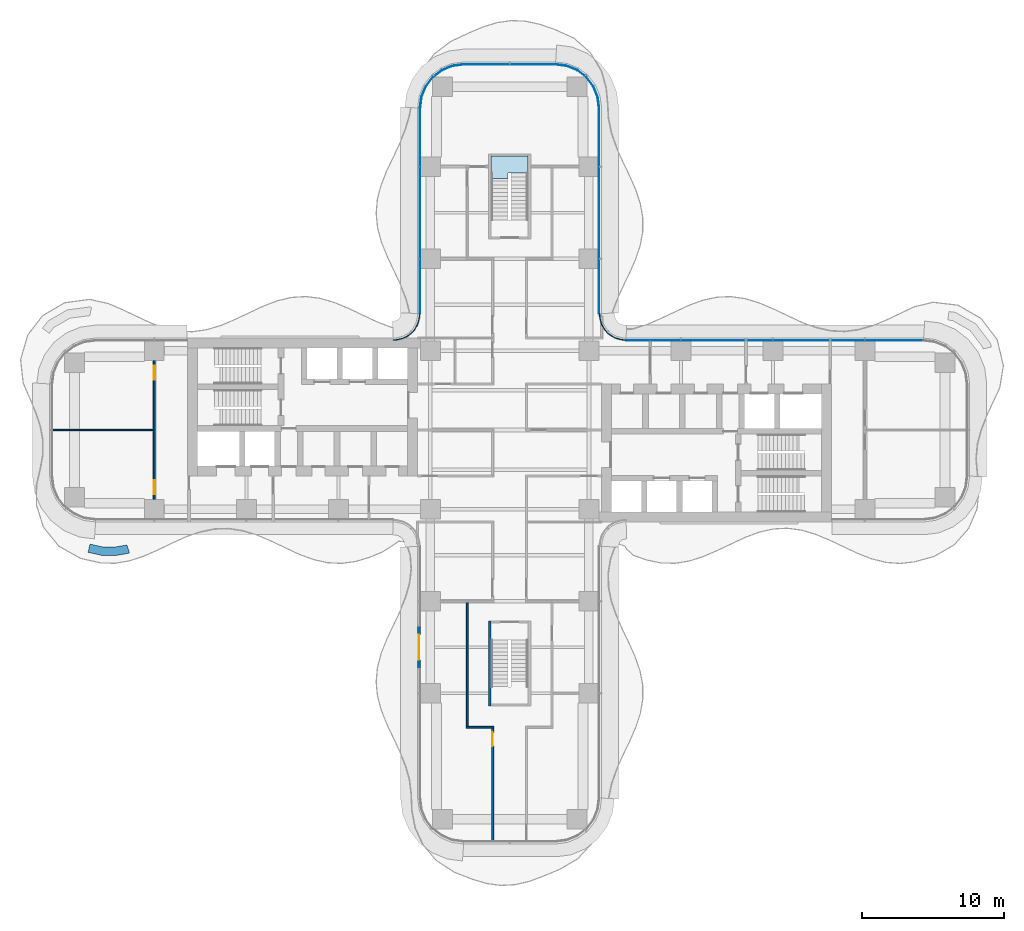
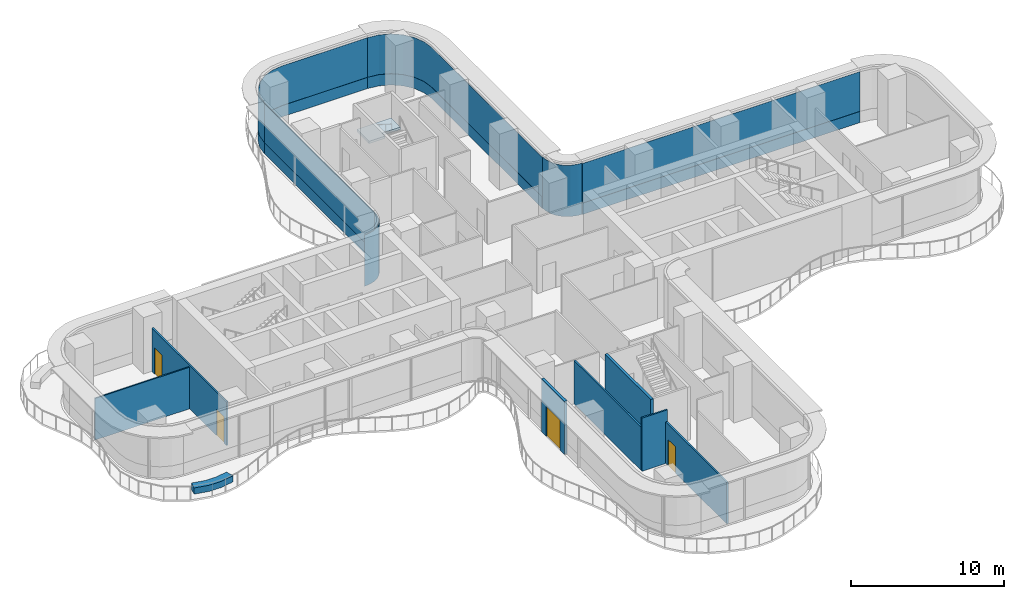
# One storey, part 16 of 22: 10 plates, 8 walls, 4 doors, 1 slab, 4 openings, 7 elements without a shape of their own.
"""IFC4 building model written with IfcOpenShell, lengths in metres."""

from ifc_helpers import new_model, si_unit, direction, frame, frame_2d, origin, place, context, subcontext, project, spatial, polyline, rectangle, outline, extrude, source, transform, mapped, material, layer, layer_set, type_object, element, fill, aggregate, save


model = new_model("IFC4")

# Units and contexts
model_context = context("Model", 3, precision=1e-05, world=origin(), true_north=direction((0.0, 1.0)))
body_context = subcontext(model_context, "Body", "Model", "MODEL_VIEW")
ifc_project = project(units=[si_unit("LENGTHUNIT", "METRE"), si_unit("AREAUNIT", "SQUARE_METRE"), si_unit("VOLUMEUNIT", "CUBIC_METRE"), si_unit("PLANEANGLEUNIT", "RADIAN"), si_unit("MASSUNIT", "GRAM", prefix="KILO")], contexts=[model_context])

# Site, building, storey
site_placement = place(None, origin())
site = spatial("IfcSite", under=ifc_project, at=site_placement, CompositionType="ELEMENT")
building_placement = place(site_placement, origin())
building = spatial("IfcBuilding", under=site, at=building_placement, Name="Trellis Farm Tower", CompositionType="ELEMENT")
storey_placement = place(building_placement, frame((0.0, 0.0, 65.5)))
storey = spatial("IfcBuildingStorey", under=building, at=storey_placement, Name="L13", CompositionType="ELEMENT", Elevation=65.5)

# Stair, slab
ifc_material_1 = material(Name="Concrete C50/60", Category="concrete")
stair_type = type_object("IfcStairType", Name="CORE EXIT STAIR 26 RISERS 173 MM", PredefinedType="HALF_TURN_STAIR", material=ifc_material_1)
placement_1 = place(storey_placement, origin())
stair = element("IfcStair", 1, at=placement_1, inside=storey, type_object=stair_type, Name="Exit stair N", PredefinedType="HALF_TURN_STAIR")
ifc_layer_1 = layer(ifc_material_1, 0.18994140625)
ifc_layer_set_1 = layer_set([ifc_layer_1], Name="CORE STAIR LANDING 190 CONCRETE C50/60")
slab_type = type_object("IfcSlabType", Name="CORE STAIR LANDING 190 CONCRETE C50/60", PredefinedType="LANDING", material=ifc_layer_set_1)
shared_shape_1 = source(origin(), body_context, "Body", "SweptSolid", [
    extrude(outline(polyline([(-0.10009765625, 17.753173828125), (-1.300048828125, 17.753173828125), (-1.300048828125, 18.14990234375), (-1.300048828125, 19.35009765625), (1.300048828125, 19.35009765625), (1.300048828125, 18.14990234375), (1.300048828125, 18.139892578125), (0.10009765625, 18.139892578125), (0.10009765625, 18.14990234375), (-0.10009765625, 18.14990234375), (-0.10009765625, 17.753173828125)])), origin(), (0.0, 0.0, 1.0), 0.18994140625),
])
slab_placement = place(storey_placement, frame((0.0, 0.0, 2.06005859375)))
slab = element("IfcSlab", 2, at=slab_placement, type_object=slab_type, Name="STN landing 1", PredefinedType="LANDING", context=body_context, shape_type="MappedRepresentation", body=[
    mapped(shared_shape_1, transform((0.0, 0.0, 0.0))),
])
aggregate(stair, [slab])

# Curtain wall, plates
ifc_material_2 = material(Name="Aluminium and glass curtain wall", Category="aluminium")
ifc_layer_2 = layer(ifc_material_2, 0.18994140625)
ifc_layer_set_2 = layer_set([ifc_layer_2], Name="RIBBON CURTAIN WALL CW1")
curtain_wall_type_1 = type_object("IfcCurtainWallType", Name="RIBBON CURTAIN WALL CW1", PredefinedType="NOTDEFINED", material=ifc_layer_set_2)
curtain_wall_1 = element("IfcCurtainWall", 3, at=placement_1, inside=storey, type_object=curtain_wall_type_1, Name="CW1 008", PredefinedType="NOTDEFINED")
ifc_material_3 = material(Name="Clear insulated glass", Category="glass")
ifc_layer_3 = layer(ifc_material_3, 0.0400390625)
ifc_layer_set_3 = layer_set([ifc_layer_3], Name="CW1 GLASS PANEL 40")
plate_type_1 = type_object("IfcPlateType", Name="CW1 GLASS PANEL 40", PredefinedType="CURTAIN_PANEL", material=ifc_layer_set_3)
shared_shape_2 = source(origin(), body_context, "Body", "SweptSolid", [
    extrude(outline(polyline([(29.240234375, 6.35009765625), (8.2265625, 6.35009765625), (8.22509765625, 6.31005859375), (29.237548828125, 6.31005859375), (29.240234375, 6.35009765625)])), origin(), (0.0, 0.0, 1.0), 3.170166015625),
])
placement_2 = place(storey_placement, frame((0.0, 0.0, 0.89990234375)))
plate_1 = element("IfcPlate", 4, at=placement_2, type_object=plate_type_1, Name="PL1 008", PredefinedType="CURTAIN_PANEL", context=body_context, shape_type="MappedRepresentation", body=[
    mapped(shared_shape_2, transform((0.0, 0.0, 0.0))),
])
ifc_material_4 = material(Name="Sandstone faced insulated panel", Category="masonry")
ifc_layer_4 = layer(ifc_material_4, 0.050048828125)
ifc_layer_set_4 = layer_set([ifc_layer_4], Name="CW1 STONE SPANDREL PANEL 50")
plate_type_2 = type_object("IfcPlateType", Name="CW1 STONE SPANDREL PANEL 50", PredefinedType="CURTAIN_PANEL", material=ifc_layer_set_4)
shared_shape_3 = source(origin(), body_context, "Body", "SweptSolid", [
    extrude(outline(polyline([(29.240234375, 6.35009765625), (8.2265625, 6.35009765625), (8.224853515625, 6.300048828125), (29.23681640625, 6.300048828125), (29.240234375, 6.35009765625)])), origin(), (0.0, 0.0, 1.0), 0.89990234375),
])
plate_2 = element("IfcPlate", 5, at=placement_1, type_object=plate_type_2, Name="PS1 008", PredefinedType="CURTAIN_PANEL", context=body_context, shape_type="MappedRepresentation", body=[
    mapped(shared_shape_3, transform((0.0, 0.0, 0.0))),
])
aggregate(curtain_wall_1, [plate_1, plate_2])

# Curtain wall, plate
ifc_layer_5 = layer(ifc_material_2, 0.166015625)
ifc_layer_set_5 = layer_set([ifc_layer_5], Name="WINTER GARDEN CURTAIN WALL CW3")
curtain_wall_type_2 = type_object("IfcCurtainWallType", Name="WINTER GARDEN CURTAIN WALL CW3", PredefinedType="NOTDEFINED", material=ifc_layer_set_5)
curtain_wall_2 = element("IfcCurtainWall", 6, at=placement_1, inside=storey, type_object=curtain_wall_type_2, Name="CW3 003", PredefinedType="NOTDEFINED")
ifc_layer_6 = layer(ifc_material_3, 0.0458984375)
ifc_layer_set_6 = layer_set([ifc_layer_6], Name="CW3 GLASS PANEL 46")
plate_type_3 = type_object("IfcPlateType", Name="CW3 GLASS PANEL 46", PredefinedType="CURTAIN_PANEL", material=ifc_layer_set_6)
shared_shape_4 = source(origin(), body_context, "Body", "SweptSolid", [
    extrude(outline(polyline([(8.2275390625, 6.3798828125), (8.0078125, 6.394287109375), (7.89208984375, 6.40966796875), (7.462158203125, 6.52490234375), (7.070556640625, 6.7509765625), (6.7509765625, 7.070556640625), (6.52490234375, 7.462158203125), (6.40966796875, 7.89208984375), (6.394287109375, 8.0078125), (6.3798828125, 8.2275390625), (6.333984375, 8.22607421875), (6.3486328125, 8.003173828125), (6.364501953125, 7.883056640625), (6.48193359375, 7.4443359375), (6.714111328125, 7.04248046875), (7.04248046875, 6.714111328125), (7.4443359375, 6.48193359375), (7.883056640625, 6.364501953125), (8.003173828125, 6.3486328125), (8.22607421875, 6.333984375), (8.2275390625, 6.3798828125)])), origin(), (0.0, 0.0, 1.0), 4.10009765625),
])
plate_3 = element("IfcPlate", 7, at=placement_1, type_object=plate_type_3, Name="PL3 003", PredefinedType="CURTAIN_PANEL", context=body_context, shape_type="MappedRepresentation", body=[
    mapped(shared_shape_4, transform((0.0, 0.0, 0.0))),
])
aggregate(curtain_wall_2, [plate_3])

curtain_wall_3 = element("IfcCurtainWall", 8, at=placement_1, inside=storey, type_object=curtain_wall_type_2, Name="CW3 004", PredefinedType="NOTDEFINED")
shared_shape_5 = source(origin(), body_context, "Body", "SweptSolid", [
    extrude(outline(polyline([(-6.3798828125, 8.2275390625), (-6.394287109375, 8.0078125), (-6.40966796875, 7.89208984375), (-6.52490234375, 7.462158203125), (-6.7509765625, 7.070556640625), (-7.070556640625, 6.7509765625), (-7.462158203125, 6.52490234375), (-7.89208984375, 6.40966796875), (-8.0078125, 6.394287109375), (-8.2275390625, 6.3798828125), (-8.22607421875, 6.333984375), (-8.003173828125, 6.3486328125), (-7.883056640625, 6.364501953125), (-7.4443359375, 6.48193359375), (-7.04248046875, 6.714111328125), (-6.714111328125, 7.04248046875), (-6.48193359375, 7.4443359375), (-6.364501953125, 7.883056640625), (-6.3486328125, 8.003173828125), (-6.333984375, 8.22607421875), (-6.3798828125, 8.2275390625)])), origin(), (0.0, 0.0, 1.0), 4.10009765625),
])
plate_4 = element("IfcPlate", 9, at=placement_1, type_object=plate_type_3, Name="PL3 004", PredefinedType="CURTAIN_PANEL", context=body_context, shape_type="MappedRepresentation", body=[
    mapped(shared_shape_5, transform((0.0, 0.0, 0.0))),
])
aggregate(curtain_wall_3, [plate_4])

# Curtain wall, plates
curtain_wall_4 = element("IfcCurtainWall", 10, at=placement_1, inside=storey, type_object=curtain_wall_type_1, Name="CW1 009", PredefinedType="NOTDEFINED")
shared_shape_6 = source(origin(), body_context, "Body", "SweptSolid", [
    extrude(outline(polyline([(6.35009765625, 8.2265625), (6.35009765625, 22.740234375), (6.2431640625, 23.552001953125), (5.93359375, 24.29931640625), (5.441162109375, 24.941162109375), (4.79931640625, 25.43359375), (4.052001953125, 25.7431640625), (3.240234375, 25.85009765625), (3.237548828125, 25.81005859375), (4.04150390625, 25.7041015625), (4.779296875, 25.398681640625), (5.41259765625, 24.91259765625), (5.898681640625, 24.279296875), (6.2041015625, 23.54150390625), (6.31005859375, 22.737548828125), (6.31005859375, 8.22509765625), (6.35009765625, 8.2265625)])), origin(), (0.0, 0.0, 1.0), 3.170166015625),
])
plate_5 = element("IfcPlate", 11, at=placement_2, type_object=plate_type_1, Name="PL1 009", PredefinedType="CURTAIN_PANEL", context=body_context, shape_type="MappedRepresentation", body=[
    mapped(shared_shape_6, transform((0.0, 0.0, 0.0))),
])
shared_shape_7 = source(origin(), body_context, "Body", "SweptSolid", [
    extrude(outline(polyline([(6.35009765625, 8.2265625), (6.35009765625, 22.740234375), (6.2431640625, 23.552001953125), (5.93359375, 24.29931640625), (5.441162109375, 24.941162109375), (4.79931640625, 25.43359375), (4.052001953125, 25.7431640625), (3.240234375, 25.85009765625), (3.23681640625, 25.800048828125), (4.0390625, 25.6943359375), (4.774169921875, 25.389892578125), (5.405517578125, 24.905517578125), (5.889892578125, 24.274169921875), (6.1943359375, 23.5390625), (6.300048828125, 22.73681640625), (6.300048828125, 8.224853515625), (6.35009765625, 8.2265625)])), origin(), (0.0, 0.0, 1.0), 0.89990234375),
])
plate_6 = element("IfcPlate", 12, at=placement_1, type_object=plate_type_2, Name="PS1 009", PredefinedType="CURTAIN_PANEL", context=body_context, shape_type="MappedRepresentation", body=[
    mapped(shared_shape_7, transform((0.0, 0.0, 0.0))),
])
aggregate(curtain_wall_4, [plate_5, plate_6])

curtain_wall_5 = element("IfcCurtainWall", 13, at=placement_1, inside=storey, type_object=curtain_wall_type_1, Name="CW1 011", PredefinedType="NOTDEFINED")
shared_shape_8 = source(origin(), body_context, "Body", "SweptSolid", [
    extrude(outline(polyline([(-6.35009765625, 22.740234375), (-6.35009765625, 8.2265625), (-6.31005859375, 8.22509765625), (-6.31005859375, 22.737548828125), (-6.35009765625, 22.740234375)])), origin(), (0.0, 0.0, 1.0), 3.170166015625),
])
plate_7 = element("IfcPlate", 14, at=placement_2, type_object=plate_type_1, Name="PL1 011", PredefinedType="CURTAIN_PANEL", context=body_context, shape_type="MappedRepresentation", body=[
    mapped(shared_shape_8, transform((0.0, 0.0, 0.0))),
])
shared_shape_9 = source(origin(), body_context, "Body", "SweptSolid", [
    extrude(outline(polyline([(-6.35009765625, 22.740234375), (-6.35009765625, 8.2265625), (-6.300048828125, 8.224853515625), (-6.300048828125, 22.73681640625), (-6.35009765625, 22.740234375)])), origin(), (0.0, 0.0, 1.0), 0.89990234375),
])
plate_8 = element("IfcPlate", 15, at=placement_1, type_object=plate_type_2, Name="PS1 011", PredefinedType="CURTAIN_PANEL", context=body_context, shape_type="MappedRepresentation", body=[
    mapped(shared_shape_9, transform((0.0, 0.0, 0.0))),
])
aggregate(curtain_wall_5, [plate_7, plate_8])

curtain_wall_6 = element("IfcCurtainWall", 16, at=placement_1, inside=storey, type_object=curtain_wall_type_1, Name="CW1 010", PredefinedType="NOTDEFINED")
shared_shape_10 = source(origin(), body_context, "Body", "SweptSolid", [
    extrude(outline(polyline([(3.240234375, 25.85009765625), (-3.240234375, 25.85009765625), (-4.052001953125, 25.7431640625), (-4.79931640625, 25.43359375), (-5.441162109375, 24.941162109375), (-5.93359375, 24.29931640625), (-6.2431640625, 23.552001953125), (-6.35009765625, 22.740234375), (-6.31005859375, 22.737548828125), (-6.2041015625, 23.54150390625), (-5.898681640625, 24.279296875), (-5.41259765625, 24.91259765625), (-4.779296875, 25.398681640625), (-4.04150390625, 25.7041015625), (-3.237548828125, 25.81005859375), (3.237548828125, 25.81005859375), (3.240234375, 25.85009765625)])), origin(), (0.0, 0.0, 1.0), 3.170166015625),
])
plate_9 = element("IfcPlate", 17, at=placement_2, type_object=plate_type_1, Name="PL1 010", PredefinedType="CURTAIN_PANEL", context=body_context, shape_type="MappedRepresentation", body=[
    mapped(shared_shape_10, transform((0.0, 0.0, 0.0))),
])
shared_shape_11 = source(origin(), body_context, "Body", "SweptSolid", [
    extrude(outline(polyline([(3.240234375, 25.85009765625), (-3.240234375, 25.85009765625), (-4.052001953125, 25.7431640625), (-4.79931640625, 25.43359375), (-5.441162109375, 24.941162109375), (-5.93359375, 24.29931640625), (-6.2431640625, 23.552001953125), (-6.35009765625, 22.740234375), (-6.300048828125, 22.73681640625), (-6.1943359375, 23.5390625), (-5.889892578125, 24.274169921875), (-5.405517578125, 24.905517578125), (-4.774169921875, 25.389892578125), (-4.0390625, 25.6943359375), (-3.23681640625, 25.800048828125), (3.23681640625, 25.800048828125), (3.240234375, 25.85009765625)])), origin(), (0.0, 0.0, 1.0), 0.89990234375),
])
plate_10 = element("IfcPlate", 18, at=placement_1, type_object=plate_type_2, Name="PS1 010", PredefinedType="CURTAIN_PANEL", context=body_context, shape_type="MappedRepresentation", body=[
    mapped(shared_shape_11, transform((0.0, 0.0, 0.0))),
])
aggregate(curtain_wall_6, [plate_9, plate_10])

# Walls
ifc_material_5 = material(Name="Sandstone faced masonry planter", Category="masonry")
ifc_layer_7 = layer(ifc_material_5, 0.60009765625)
ifc_layer_set_7 = layer_set([ifc_layer_7], Name="PLANTER BED 600")
wall_type_1 = type_object("IfcWallType", Name="PLANTER BED 600", PredefinedType="USERDEFINED", material=ifc_layer_set_7)
element("IfcWall", 19, at=placement_1, inside=storey, type_object=wall_type_1, Name="PLANTER bed", ObjectType="PLANTER", PredefinedType="USERDEFINED", context=body_context, shape_type="SweptSolid", body=[
    extrude(outline(polyline([(-27.88720703125, -8.88037109375), (-28.776123046875, -8.869384765625), (-29.781982421875, -8.647705078125), (-29.65283203125, -8.06201171875), (-28.707275390625, -8.270263671875), (-27.934326171875, -8.27978515625), (-27.12744140625, -8.14208984375), (-27.04443359375, -8.114990234375), (-26.857421875, -8.68505859375), (-26.98291015625, -8.726318359375), (-27.88720703125, -8.88037109375)])), origin(), (0.0, 0.0, 1.0), 0.5),
])
ifc_material_6 = material(Name="Concrete C80/95", Category="concrete")
ifc_layer_8 = layer(ifc_material_6, 0.199951171875)
ifc_layer_set_8 = layer_set([ifc_layer_8], Name="CORE STAIR ENCLOSURE WALL 200 CONCRETE C80/95")
wall_type_2 = type_object("IfcWallType", Name="CORE STAIR ENCLOSURE WALL 200 CONCRETE C80/95", PredefinedType="SHEAR", material=ifc_layer_set_8)
shared_shape_12 = source(origin(), body_context, "Body", "SweptSolid", [
    extrude(rectangle(XDim=6.0, YDim=0.199951171875, at=frame_2d((3.0, 0.0))), origin(), (0.0, 0.0, 1.0), 4.25),
])
wall_2_placement = place(storey_placement, frame((-1.39990234375, -13.5, 0.0), z_axis=(0.0, 0.0, 1.0), x_axis=(0.0, -1.0, 0.0)))
element("IfcWall", 20, at=wall_2_placement, inside=storey, type_object=wall_type_2, Name="Stair enclosure wall", PredefinedType="SHEAR", context=body_context, shape_type="MappedRepresentation", body=[
    mapped(shared_shape_12, transform((0.0, 0.0, 0.0))),
])

# Wall, opening, door
ifc_material_7 = material(Name="Sandstone faced insulated wall", Category="masonry")
ifc_layer_9 = layer(ifc_material_7, 0.199951171875)
ifc_layer_set_9 = layer_set([ifc_layer_9], Name="EXTERNAL INFILL WALL 200")
wall_type_3 = type_object("IfcWallType", Name="EXTERNAL INFILL WALL 200", PredefinedType="SOLIDWALL", material=ifc_layer_set_9)
shared_shape_13 = source(origin(), body_context, "Body", "SweptSolid", [
    extrude(rectangle(XDim=3.0, YDim=0.199951171875, at=frame_2d((1.5, 0.0))), origin(), (0.0, 0.0, 1.0), 4.25),
])
wall_3_placement = place(storey_placement, frame((-6.39990234375, -13.85009765625, 0.0), z_axis=(0.0, 0.0, 1.0), x_axis=(0.0, -1.0, 0.0)))
wall_3 = element("IfcWall", 21, at=wall_3_placement, inside=storey, type_object=wall_type_3, Name="EW1 01", PredefinedType="SOLIDWALL", context=body_context, shape_type="MappedRepresentation", body=[
    mapped(shared_shape_13, transform((0.0, 0.0, 0.0))),
])
shared_shape_14 = source(origin(), body_context, "Body", "SweptSolid", [
    extrude(rectangle(XDim=1.800048828125, YDim=2.39990234375, at=frame_2d((0.89990234375, 1.199951171875))), frame((0.0, 0.110107421875, 0.0), z_axis=(0.0, -1.0, 0.0), x_axis=(1.0, 0.0, 0.0)), (0.0, 0.0, 1.0), 0.22021484375),
])
opening_1_placement = place(wall_3_placement, frame((0.60009765625, 0.0, 0.0)))
opening_1 = element("IfcOpeningElement", 22, at=opening_1_placement, cuts=wall_3, Name="Opening ED1", PredefinedType="OPENING", context=body_context, shape_type="MappedRepresentation", body=[
    mapped(shared_shape_14, transform((0.0, 0.0, 0.0))),
])
ifc_material_8 = material(Name="Aluminium framed glazed door", Category="aluminium")
door_type_1 = type_object("IfcDoorType", Name="BALCONY DOOR 1800x2400", OperationType="DOUBLE_DOOR_SINGLE_SWING", PredefinedType="DOOR", material=ifc_material_8)
shared_shape_15 = source(origin(), body_context, "Body", "SweptSolid", [
    extrude(rectangle(XDim=1.800048828125, YDim=2.39990234375, at=frame_2d((0.89990234375, 1.199951171875))), frame((0.0, 0.02490234375, 0.0), z_axis=(0.0, -1.0, 0.0), x_axis=(1.0, 0.0, 0.0)), (0.0, 0.0, 1.0), 0.050048828125),
])
door_1_placement = place(opening_1_placement, origin())
door_1 = element("IfcDoor", 23, at=door_1_placement, inside=storey, type_object=door_type_1, Name="Balcony door", OperationType="DOUBLE_DOOR_SINGLE_SWING", OverallHeight=2.39990234375, OverallWidth=1.800048828125, PredefinedType="DOOR", context=body_context, shape_type="MappedRepresentation", body=[
    mapped(shared_shape_15, transform((0.0, 0.0, 0.0))),
])
fill(opening_1, door_1)

# Wall, openings, doors
ifc_material_9 = material(Name="Plasterboard on steel studs, mineral wool", Category="steel")
ifc_layer_10 = layer(ifc_material_9, 0.125)
ifc_layer_set_10 = layer_set([ifc_layer_10], Name="PARTITION 125 STUD EI 60")
wall_type_4 = type_object("IfcWallType", Name="PARTITION 125 STUD EI 60", PredefinedType="PARTITIONING", material=ifc_layer_set_10)
shared_shape_16 = source(origin(), body_context, "Body", "SweptSolid", [
    extrude(rectangle(XDim=9.7998046875, YDim=0.125, at=frame_2d((4.89990234375, 0.0))), origin(), (0.0, 0.0, 1.0), 3.4677734375),
])
wall_4_placement = place(storey_placement, frame((-25.10009765625, -4.89990234375, 0.0), z_axis=(0.0, 0.0, 1.0), x_axis=(0.0, 1.0, 0.0)))
wall_4 = element("IfcWall", 24, at=wall_4_placement, inside=storey, type_object=wall_type_4, Name="Partition PW1", PredefinedType="PARTITIONING", context=body_context, shape_type="MappedRepresentation", body=[
    mapped(shared_shape_16, transform((0.0, 0.0, 0.0))),
])
shared_shape_17 = source(origin(), body_context, "Body", "SweptSolid", [
    extrude(rectangle(XDim=1.0, YDim=2.10009765625, at=frame_2d((0.5, 1.050048828125))), frame((0.0, 0.072509765625, 0.0), z_axis=(0.0, -1.0, 0.0), x_axis=(1.0, 0.0, 0.0)), (0.0, 0.0, 1.0), 0.14501953125),
])
opening_2_placement = place(wall_4_placement, frame((0.35009765625, 0.0, 0.0)))
opening_2 = element("IfcOpeningElement", 25, at=opening_2_placement, cuts=wall_4, Name="Opening D104", PredefinedType="OPENING", context=body_context, shape_type="MappedRepresentation", body=[
    mapped(shared_shape_17, transform((0.0, 0.0, 0.0))),
])
opening_3_placement = place(wall_4_placement, frame((8.449951171875, 0.0, 0.0)))
opening_3 = element("IfcOpeningElement", 26, at=opening_3_placement, cuts=wall_4, Name="Opening D110", PredefinedType="OPENING", context=body_context, shape_type="MappedRepresentation", body=[
    mapped(shared_shape_17, transform((0.0, 0.0, 0.0))),
])
ifc_material_10 = material(Name="Fire-rated timber door leaf in a hollow metal frame", Category="wood")
door_type_2 = type_object("IfcDoorType", Name="DOOR 1000x2100 FD30S", OperationType="NOTDEFINED", PredefinedType="DOOR", material=ifc_material_10)
shared_shape_18 = source(origin(), body_context, "Body", "SweptSolid", [
    extrude(rectangle(XDim=1.0, YDim=2.10009765625, at=frame_2d((0.5, 1.050048828125))), frame((0.0, 0.02490234375, 0.0), z_axis=(0.0, -1.0, 0.0), x_axis=(1.0, 0.0, 0.0)), (0.0, 0.0, 1.0), 0.050048828125),
])
door_2_placement = place(opening_2_placement, origin())
door_2 = element("IfcDoor", 27, at=door_2_placement, inside=storey, type_object=door_type_2, Name="Door D104", OperationType="SINGLE_SWING_LEFT", OverallHeight=2.10009765625, OverallWidth=1.0, PredefinedType="DOOR", context=body_context, shape_type="MappedRepresentation", body=[
    mapped(shared_shape_18, transform((0.0, 0.0, 0.0))),
])
fill(opening_2, door_2)
door_3_placement = place(opening_3_placement, origin())
door_3 = element("IfcDoor", 28, at=door_3_placement, inside=storey, type_object=door_type_2, Name="Door D110", OperationType="SINGLE_SWING_RIGHT", OverallHeight=2.10009765625, OverallWidth=1.0, PredefinedType="DOOR", context=body_context, shape_type="MappedRepresentation", body=[
    mapped(shared_shape_18, transform((0.0, 0.0, 0.0))),
])
fill(opening_3, door_3)

# Wall
ifc_material_11 = material(Name="Plasterboard on steel studs", Category="steel")
ifc_layer_11 = layer(ifc_material_11, 0.10009765625)
ifc_layer_set_11 = layer_set([ifc_layer_11], Name="PARTITION 100 STUD EI 30")
wall_type_5 = type_object("IfcWallType", Name="PARTITION 100 STUD EI 30", PredefinedType="PARTITIONING", material=ifc_layer_set_11)
shared_shape_19 = source(origin(), body_context, "Body", "SweptSolid", [
    extrude(rectangle(XDim=7.137451171875, YDim=0.10009765625, at=frame_2d((3.56884765625, 0.0))), origin(), (0.0, 0.0, 1.0), 3.330078125),
])
wall_5_placement = place(storey_placement, frame((-32.300048828125, 0.0, 0.0), z_axis=(0.0, 0.0, 1.0), x_axis=(1.0, 0.0, 0.0)))
element("IfcWall", 29, at=wall_5_placement, inside=storey, type_object=wall_type_5, Name="Partition PW2", PredefinedType="PARTITIONING", context=body_context, shape_type="MappedRepresentation", body=[
    mapped(shared_shape_19, transform((0.0, 0.0, 0.0))),
])

# Wall, opening, door
shared_shape_20 = source(origin(), body_context, "Body", "SweptSolid", [
    extrude(rectangle(XDim=7.987548828125, YDim=0.125, at=frame_2d((3.99365234375, 0.0))), origin(), (0.0, 0.0, 1.0), 3.330078125),
])
wall_6_placement = place(storey_placement, frame((-1.199951171875, -21.0625, 0.0), z_axis=(0.0, 0.0, 1.0), x_axis=(0.0, -1.0, 0.0)))
wall_6 = element("IfcWall", 30, at=wall_6_placement, inside=storey, type_object=wall_type_4, Name="Partition PW1", PredefinedType="PARTITIONING", context=body_context, shape_type="MappedRepresentation", body=[
    mapped(shared_shape_20, transform((0.0, 0.0, 0.0))),
])
opening_4_placement = place(wall_6_placement, frame((0.28759765625, 0.0, 0.0)))
opening_4 = element("IfcOpeningElement", 31, at=opening_4_placement, cuts=wall_6, Name="Opening D102", PredefinedType="OPENING", context=body_context, shape_type="MappedRepresentation", body=[
    mapped(shared_shape_17, transform((0.0, 0.0, 0.0))),
])
door_4_placement = place(opening_4_placement, origin())
door_4 = element("IfcDoor", 32, at=door_4_placement, inside=storey, type_object=door_type_2, Name="Door D102", OperationType="SINGLE_SWING_LEFT", OverallHeight=2.10009765625, OverallWidth=1.0, PredefinedType="DOOR", context=body_context, shape_type="MappedRepresentation", body=[
    mapped(shared_shape_18, transform((0.0, 0.0, 0.0))),
])
fill(opening_4, door_4)

# Walls
shared_shape_21 = source(origin(), body_context, "Body", "SweptSolid", [
    extrude(rectangle(XDim=1.925048828125, YDim=0.125, at=frame_2d((0.96240234375, 0.0))), origin(), (0.0, 0.0, 1.0), 4.25),
])
wall_7_placement = place(storey_placement, frame((-1.137451171875, -21.0, 0.0), z_axis=(0.0, 0.0, 1.0), x_axis=(-1.0, 0.0, 0.0)))
element("IfcWall", 33, at=wall_7_placement, inside=storey, type_object=wall_type_4, Name="Partition PW1", PredefinedType="PARTITIONING", context=body_context, shape_type="MappedRepresentation", body=[
    mapped(shared_shape_21, transform((0.0, 0.0, 0.0))),
])
shared_shape_22 = source(origin(), body_context, "Body", "SweptSolid", [
    extrude(rectangle(XDim=8.78759765625, YDim=0.125, at=frame_2d((4.393798828125, 0.0))), origin(), (0.0, 0.0, 1.0), 3.4677734375),
])
wall_8_placement = place(storey_placement, frame((-3.0, -20.9375, 0.0), z_axis=(0.0, 0.0, 1.0), x_axis=(0.0, 1.0, 0.0)))
element("IfcWall", 34, at=wall_8_placement, inside=storey, type_object=wall_type_4, Name="Partition PW1", PredefinedType="PARTITIONING", context=body_context, shape_type="MappedRepresentation", body=[
    mapped(shared_shape_22, transform((0.0, 0.0, 0.0))),
])

save(model, "model.ifc")
